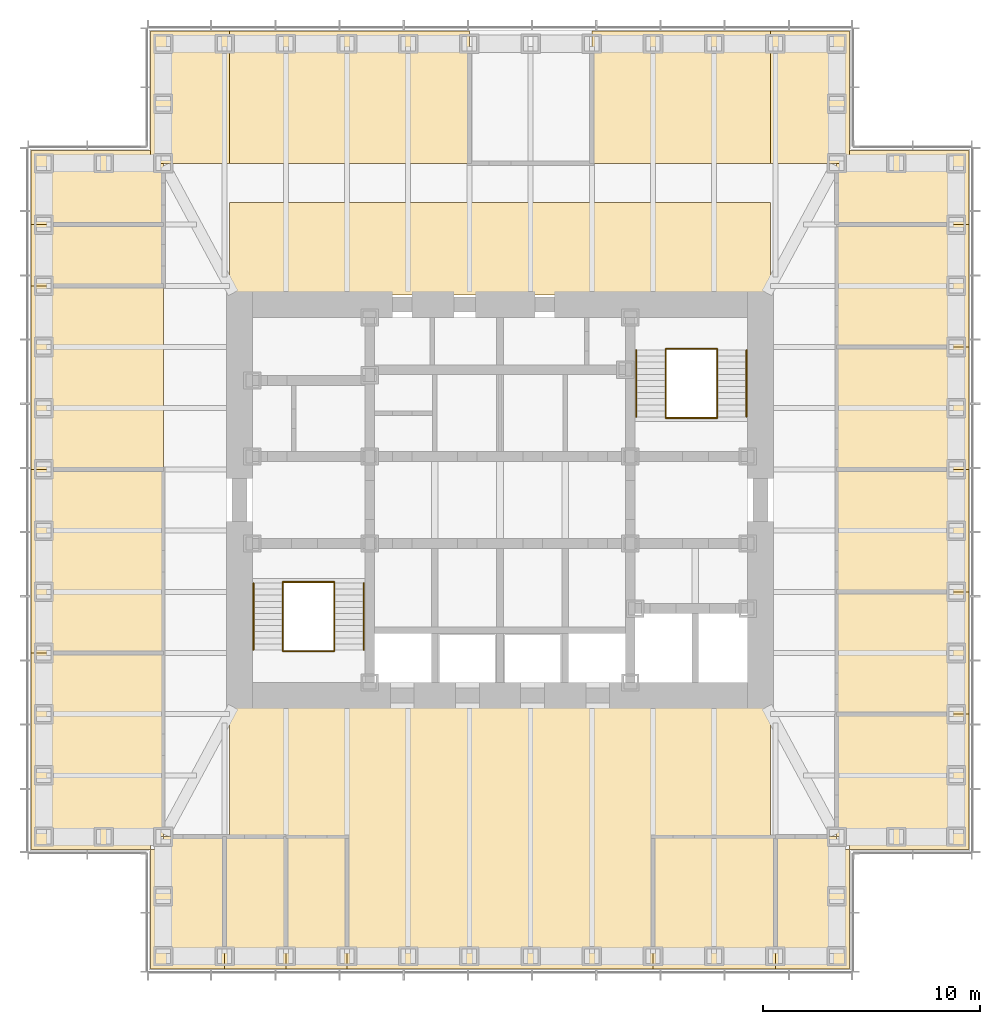
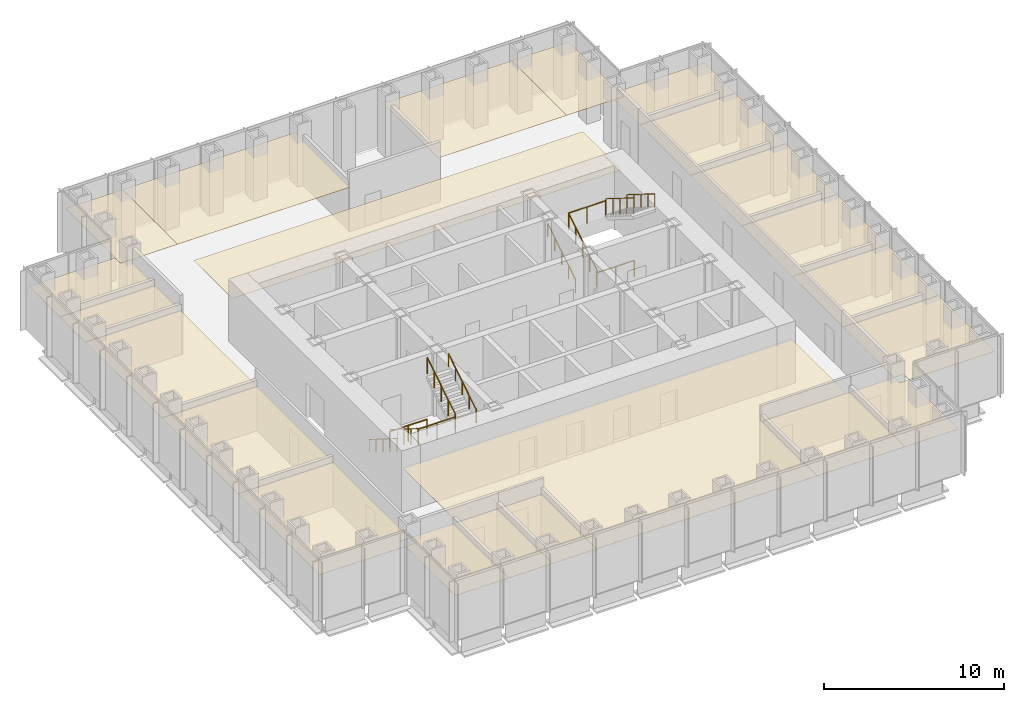
# One storey, part 16 of 16: 22 coverings, 12 railings.
"""IFC4 building model written with IfcOpenShell, lengths in metres."""

import ifcopenshell
import ifcopenshell.guid

model = None  # the IFC model being written
_history = None  # IfcOwnerHistory: only IFC2X3 demands one
_inside = {}  # id of a spatial element -> (the spatial element, [elements in it])
_under = {}  # id of a project, library or spatial element -> (it, [spatial elements below it])
_declared = {}  # id of a project -> (the project, [libraries it declares])
_typed = {}  # id of a type object -> (the type object, [elements of that type])
_made_of = {}  # id of a material, layer set ... -> (it, [elements and type objects made of it])


def new_model(schema):
    """Start an empty IFC model of exactly this schema.

    Asked for "IFC4X3", IfcOpenShell would pick the latest addendum, in which some entities
    have other attributes; the version numbers below select the first issue.
    IFC2X3 requires an IfcOwnerHistory on every rooted entity: one is made here for all.
    """
    global model, _history
    if schema == "IFC4X3":
        model = ifcopenshell.file(schema_version=(4, 3, 0, 0))
    else:
        model = ifcopenshell.file(schema=schema)
    _inside.clear()
    _under.clear()
    _declared.clear()
    _typed.clear()
    _made_of.clear()
    _history = None
    if model.schema == "IFC2X3":
        org = make("IfcOrganization", Name="unknown")
        user = make(
            "IfcPersonAndOrganization",
            ThePerson=make("IfcPerson", FamilyName="unknown"),
            TheOrganization=org,
        )
        app = make(
            "IfcApplication",
            ApplicationDeveloper=org,
            Version="unknown",
            ApplicationFullName="unknown",
            ApplicationIdentifier="unknown",
        )
        _history = make(
            "IfcOwnerHistory",
            OwningUser=user,
            OwningApplication=app,
            ChangeAction="ADDED",
            CreationDate=0,
        )
    return model


def make(cls, **values):
    """One entity of the class cls with the attributes given. An attribute that is None is left unset."""
    return model.create_entity(
        cls, **{name: value for name, value in values.items() if value is not None}
    )


def rooted(cls, **values):
    """An entity with a GlobalId (a new one), such as an element, a storey or a relation."""
    return make(cls, GlobalId=ifcopenshell.guid.new(), OwnerHistory=_history, **values)


def si_unit(unit_type, name, prefix=None):
    """IfcSIUnit, for example si_unit("LENGTHUNIT", "METRE", prefix="MILLI")."""
    return make("IfcSIUnit", UnitType=unit_type, Prefix=prefix, Name=name)


def assignment(units):
    """IfcUnitAssignment: the units of a project."""
    return None if units is None else make("IfcUnitAssignment", Units=units)


def point(xyz):
    """IfcCartesianPoint."""
    return None if xyz is None else make("IfcCartesianPoint", Coordinates=xyz)


def direction(xyz):
    """IfcDirection."""
    return None if xyz is None else make("IfcDirection", DirectionRatios=xyz)


def frame(location, z_axis=None, x_axis=None):
    """IfcAxis2Placement3D, a coordinate frame: its origin and axes. An axis left out is left unset."""
    return make(
        "IfcAxis2Placement3D",
        Location=point(location),
        Axis=direction(z_axis),
        RefDirection=direction(x_axis),
    )


def frame_2d(location, x_axis=None):
    """IfcAxis2Placement2D, a coordinate frame in the plane: its origin and x axis."""
    return make(
        "IfcAxis2Placement2D", Location=point(location), RefDirection=direction(x_axis)
    )


def origin():
    """The frame at (0, 0, 0) with its axes left unset."""
    return frame((0.0, 0.0, 0.0))


def origin_2d():
    """The frame at (0, 0) in the plane with its x axis left unset."""
    return frame_2d((0.0, 0.0))


def place(relative_to, where):
    """IfcLocalPlacement: puts the frame where relative to a parent placement (None: the world)."""
    return make(
        "IfcLocalPlacement", PlacementRelTo=relative_to, RelativePlacement=where
    )


def context(
    kind, dimensions, precision=None, world=None, true_north=None, identifier=None
):
    """IfcGeometricRepresentationContext, for example the 3D "Model" context."""
    return make(
        "IfcGeometricRepresentationContext",
        ContextIdentifier=identifier,
        ContextType=kind,
        CoordinateSpaceDimension=dimensions,
        Precision=precision,
        WorldCoordinateSystem=world,
        TrueNorth=true_north,
    )


def subcontext(parent, identifier, kind, view, scale=None):
    """IfcGeometricRepresentationSubContext, for example "Body" below "Model"."""
    return make(
        "IfcGeometricRepresentationSubContext",
        ContextIdentifier=identifier,
        ContextType=kind,
        ParentContext=parent,
        TargetScale=scale,
        TargetView=view,
    )


def project(units=None, contexts=None):
    """IfcProject with its units and contexts."""
    return rooted(
        "IfcProject",
        Name="project",
        RepresentationContexts=contexts,
        UnitsInContext=assignment(units),
    )


def spatial(cls, under=None, at=None, **own):
    """A site, building, storey or space (cls), placed at a placement, below another one or the project."""
    s = rooted(cls, ObjectPlacement=at, **own)
    if under is not None:
        _under.setdefault(under.id(), (under, []))[1].append(s)
    return s


def polyline(points):
    """IfcPolyline through the points."""
    return make("IfcPolyline", Points=[point(p) for p in points])


def profile(cls, at=None, kind="AREA", **sizes):
    """A parametric profile (cls). Its sizes go by their IFC names, for example OverallWidth=200.0."""
    return make(cls, ProfileType=kind, Position=at, **sizes)


def circle(**sizes):
    """IfcCircleProfileDef."""
    return profile("IfcCircleProfileDef", **sizes)


def outline(outer, holes=None, kind="AREA"):
    """IfcArbitraryClosedProfileDef: a profile drawn as a closed curve; with holes, ...WithVoids."""
    if holes is None:
        return make("IfcArbitraryClosedProfileDef", ProfileType=kind, OuterCurve=outer)
    return make(
        "IfcArbitraryProfileDefWithVoids",
        ProfileType=kind,
        OuterCurve=outer,
        InnerCurves=holes,
    )


def extrude(swept, where, along, depth):
    """IfcExtrudedAreaSolid: the profile swept, set in the frame where, extruded along a direction by depth."""
    return make(
        "IfcExtrudedAreaSolid",
        SweptArea=swept,
        Position=where,
        ExtrudedDirection=direction(along),
        Depth=depth,
    )


def shape(context_of_items, identifier, shape_type, items):
    """IfcShapeRepresentation: the items that make up one representation, for example the "Body"."""
    return make(
        "IfcShapeRepresentation",
        ContextOfItems=context_of_items,
        RepresentationIdentifier=identifier,
        RepresentationType=shape_type,
        Items=items,
    )


def material(Name=None, Category=None):
    """IfcMaterial."""
    return make("IfcMaterial", Name=Name, Category=Category)


def layer(
    of_material, thickness, ventilated=None, Name=None, Category=None, Priority=None
):
    """IfcMaterialLayer: one layer of a wall or slab, of a material (None: an air gap)."""
    return make(
        "IfcMaterialLayer",
        Material=of_material,
        LayerThickness=thickness,
        IsVentilated=ventilated,
        Name=Name,
        Category=Category,
        Priority=Priority,
    )


def layer_set(layers, Name=None):
    """IfcMaterialLayerSet."""
    return make("IfcMaterialLayerSet", MaterialLayers=layers, LayerSetName=Name)


def made_of(thing, what):
    """Note that an element or type object is made of a material, layer set ...; save() writes the relation."""
    if what is not None:
        _made_of.setdefault(what.id(), (what, []))[1].append(thing)
    return thing


def type_object(cls, material=None, **own):
    """A type object (cls), such as IfcWallType, which elements share."""
    return made_of(rooted(cls, **own), material)


def element(
    cls,
    number,
    at=None,
    inside=None,
    cuts=None,
    type_object=None,
    material=None,
    context=None,
    identifier="Body",
    shape_type=None,
    held_by="IfcProductDefinitionShape",
    body=None,
    shapes=None,
    **own,
):
    """One element of the class cls, such as IfcWall. Its Tag is "e" and its number.

    at: its placement. inside: the storey or other place that contains it. cuts: it is an
    opening in that element (IfcRelVoidsElement). A single representation is given by context,
    identifier, shape_type and body (its items); several are given by shapes. held_by: the class
    of the entity that holds the representations. save() writes the other relations.
    """
    e = rooted(cls, Tag="e%d" % number, ObjectPlacement=at, **own)
    if body is not None:
        shapes = [shape(context, identifier, shape_type, body)]
    if shapes is not None:
        e.Representation = make(held_by, Representations=shapes)
    if inside is not None:
        _inside.setdefault(inside.id(), (inside, []))[1].append(e)
    if cuts is not None:
        rooted(
            "IfcRelVoidsElement", RelatingBuildingElement=cuts, RelatedOpeningElement=e
        )
    if type_object is not None:
        _typed.setdefault(type_object.id(), (type_object, []))[1].append(e)
    return made_of(e, material)


def aggregate(whole, parts):
    """IfcRelAggregates: a whole, such as a stair, and the parts it consists of."""
    return rooted("IfcRelAggregates", RelatingObject=whole, RelatedObjects=parts)


def save(model, path):
    """Write the relations noted so far, then the file.

    IfcRelAggregates (storeys below a building ...), IfcRelContainedInSpatialStructure (elements
    in a storey), IfcRelDefinesByType, IfcRelAssociatesMaterial and IfcRelDeclares: one each for
    every whole, place, type object, material and project.
    """
    for whole, parts in _under.values():
        aggregate(whole, parts)
    for where, things in _inside.values():
        rooted(
            "IfcRelContainedInSpatialStructure",
            RelatedElements=things,
            RelatingStructure=where,
        )
    for kind, things in _typed.values():
        rooted("IfcRelDefinesByType", RelatedObjects=things, RelatingType=kind)
    for what, things in _made_of.values():
        rooted("IfcRelAssociatesMaterial", RelatedObjects=things, RelatingMaterial=what)
    for by, libraries in _declared.values():
        rooted("IfcRelDeclares", RelatingContext=by, RelatedDefinitions=libraries)
    model.write(path)


model = new_model("IFC4")

# Units and contexts
model_context = context("Model", 3, precision=1e-05, world=origin(), true_north=direction((0.0, 1.0)))
body_context = subcontext(model_context, "Body", "Model", "MODEL_VIEW")
ifc_project = project(units=[si_unit("LENGTHUNIT", "METRE"), si_unit("AREAUNIT", "SQUARE_METRE"), si_unit("VOLUMEUNIT", "CUBIC_METRE"), si_unit("PLANEANGLEUNIT", "RADIAN"), si_unit("MASSUNIT", "GRAM", prefix="KILO")], contexts=[model_context])

# Site, building, storey
site_placement = place(None, origin())
site = spatial("IfcSite", under=ifc_project, at=site_placement, CompositionType="ELEMENT")
building_placement = place(site_placement, origin())
building = spatial("IfcBuilding", under=site, at=building_placement, Name="Daluyong Arena Tower", CompositionType="ELEMENT")
storey_placement = place(building_placement, frame((0.0, 0.0, 198.10009765625)))
storey = spatial("IfcBuildingStorey", under=building, at=storey_placement, Name="L44", CompositionType="ELEMENT", Elevation=198.10009765625)

# Coverings
ifc_material_1 = material(Name="Mineral fibre ceiling tile", Category="gypsum board")
ifc_layer = layer(ifc_material_1, 0.02001953125)
ifc_layer_set = layer_set([ifc_layer], Name="Mineral fibre ceiling tile")
covering_type = type_object("IfcCoveringType", Name="Office ceiling", PredefinedType="CEILING", material=ifc_layer_set)
covering_1_placement = place(storey_placement, frame((0.0, 0.0, 2.89990234375)))
element("IfcCovering", 1, at=covering_1_placement, inside=storey, type_object=covering_type, Name="ceiling L44-01", PredefinedType="CEILING", context=body_context, shape_type="SweptSolid", body=[
    extrude(outline(polyline([(39.89990234375, 63.89990234375), (39.89990234375, 58.39990234375), (43.318115234375, 58.39990234375), (43.318115234375, 64.5), (40.5, 64.5), (40.5, 63.89990234375), (39.89990234375, 63.89990234375)])), origin(), (0.0, 0.0, 1.0), 0.02001953125),
])
covering_2_placement = place(storey_placement, frame((0.0, 0.0, 2.89990234375)))
element("IfcCovering", 2, at=covering_2_placement, inside=storey, type_object=covering_type, Name="ceiling L44-02", PredefinedType="CEILING", context=body_context, shape_type="SweptSolid", body=[
    extrude(outline(polyline([(43.318115234375, 64.5), (43.318115234375, 58.39990234375), (46.136474609375, 58.39990234375), (46.136474609375, 64.5), (43.318115234375, 64.5)])), origin(), (0.0, 0.0, 1.0), 0.02001953125),
])
covering_3_placement = place(storey_placement, frame((0.0, 0.0, 2.89990234375)))
element("IfcCovering", 3, at=covering_3_placement, inside=storey, type_object=covering_type, Name="ceiling L44-03", PredefinedType="CEILING", context=body_context, shape_type="SweptSolid", body=[
    extrude(outline(polyline([(46.136474609375, 64.5), (46.136474609375, 58.39990234375), (48.95458984375, 58.39990234375), (48.95458984375, 64.5), (46.136474609375, 64.5)])), origin(), (0.0, 0.0, 1.0), 0.02001953125),
])
covering_4_placement = place(storey_placement, frame((0.0, 0.0, 2.89990234375)))
element("IfcCovering", 4, at=covering_4_placement, inside=storey, type_object=covering_type, Name="ceiling L44-04", PredefinedType="CEILING", context=body_context, shape_type="SweptSolid", body=[
    extrude(outline(polyline([(63.04541015625, 64.5), (63.04541015625, 58.39990234375), (68.681884765625, 58.39990234375), (68.681884765625, 64.5), (63.04541015625, 64.5)])), origin(), (0.0, 0.0, 1.0), 0.02001953125),
])
covering_5_placement = place(storey_placement, frame((0.0, 0.0, 2.89990234375)))
element("IfcCovering", 5, at=covering_5_placement, inside=storey, type_object=covering_type, Name="ceiling L44-05", PredefinedType="CEILING", context=body_context, shape_type="SweptSolid", body=[
    extrude(outline(polyline([(72.10009765625, 58.39990234375), (72.10009765625, 63.89990234375), (71.5, 63.89990234375), (71.5, 64.5), (68.681884765625, 64.5), (68.681884765625, 58.39990234375), (72.10009765625, 58.39990234375)])), origin(), (0.0, 0.0, 1.0), 0.02001953125),
])
covering_6_placement = place(storey_placement, frame((0.0, 0.0, 2.89990234375)))
element("IfcCovering", 6, at=covering_6_placement, inside=storey, type_object=covering_type, Name="ceiling L44-06", PredefinedType="CEILING", context=body_context, shape_type="SweptSolid", body=[
    extrude(outline(polyline([(72.10009765625, 63.89990234375), (77.60009765625, 63.89990234375), (77.60009765625, 70.136474609375), (71.5, 70.136474609375), (71.5, 64.5), (72.10009765625, 64.5), (72.10009765625, 63.89990234375)])), origin(), (0.0, 0.0, 1.0), 0.02001953125),
])
covering_7_placement = place(storey_placement, frame((0.0, 0.0, 2.89990234375)))
element("IfcCovering", 7, at=covering_7_placement, inside=storey, type_object=covering_type, Name="ceiling L44-07", PredefinedType="CEILING", context=body_context, shape_type="SweptSolid", body=[
    extrude(outline(polyline([(71.5, 70.136474609375), (77.60009765625, 70.136474609375), (77.60009765625, 75.772705078125), (71.5, 75.772705078125), (71.5, 70.136474609375)])), origin(), (0.0, 0.0, 1.0), 0.02001953125),
])
covering_8_placement = place(storey_placement, frame((0.0, 0.0, 2.89990234375)))
element("IfcCovering", 8, at=covering_8_placement, inside=storey, type_object=covering_type, Name="ceiling L44-08", PredefinedType="CEILING", context=body_context, shape_type="SweptSolid", body=[
    extrude(outline(polyline([(71.5, 75.772705078125), (77.60009765625, 75.772705078125), (77.60009765625, 81.4091796875), (71.5, 81.4091796875), (71.5, 75.772705078125)])), origin(), (0.0, 0.0, 1.0), 0.02001953125),
])
covering_9_placement = place(storey_placement, frame((0.0, 0.0, 2.89990234375)))
element("IfcCovering", 9, at=covering_9_placement, inside=storey, type_object=covering_type, Name="ceiling L44-09", PredefinedType="CEILING", context=body_context, shape_type="SweptSolid", body=[
    extrude(outline(polyline([(71.5, 81.4091796875), (77.60009765625, 81.4091796875), (77.60009765625, 87.04541015625), (71.5, 87.04541015625), (71.5, 81.4091796875)])), origin(), (0.0, 0.0, 1.0), 0.02001953125),
])
covering_10_placement = place(storey_placement, frame((0.0, 0.0, 2.89990234375)))
element("IfcCovering", 10, at=covering_10_placement, inside=storey, type_object=covering_type, Name="ceiling L44-10", PredefinedType="CEILING", context=body_context, shape_type="SweptSolid", body=[
    extrude(outline(polyline([(71.5, 87.04541015625), (77.60009765625, 87.04541015625), (77.60009765625, 92.681884765625), (71.5, 92.681884765625), (71.5, 87.04541015625)])), origin(), (0.0, 0.0, 1.0), 0.02001953125),
])
covering_11_placement = place(storey_placement, frame((0.0, 0.0, 2.89990234375)))
element("IfcCovering", 11, at=covering_11_placement, inside=storey, type_object=covering_type, Name="ceiling L44-11", PredefinedType="CEILING", context=body_context, shape_type="SweptSolid", body=[
    extrude(outline(polyline([(71.5, 92.681884765625), (77.60009765625, 92.681884765625), (77.60009765625, 96.10009765625), (72.10009765625, 96.10009765625), (72.10009765625, 95.5), (71.5, 95.5), (71.5, 92.681884765625)])), origin(), (0.0, 0.0, 1.0), 0.02001953125),
])
covering_12_placement = place(storey_placement, frame((0.0, 0.0, 2.89990234375)))
element("IfcCovering", 12, at=covering_12_placement, inside=storey, type_object=covering_type, Name="ceiling L44-13", PredefinedType="CEILING", context=body_context, shape_type="SweptSolid", body=[
    extrude(outline(polyline([(34.39990234375, 63.89990234375), (39.89990234375, 63.89990234375), (39.89990234375, 64.5), (40.5, 64.5), (40.5, 72.95458984375), (34.39990234375, 72.95458984375), (34.39990234375, 63.89990234375)])), origin(), (0.0, 0.0, 1.0), 0.02001953125),
])
covering_13_placement = place(storey_placement, frame((0.0, 0.0, 2.89990234375)))
element("IfcCovering", 13, at=covering_13_placement, inside=storey, type_object=covering_type, Name="ceiling L44-14", PredefinedType="CEILING", context=body_context, shape_type="SweptSolid", body=[
    extrude(outline(polyline([(40.5, 81.4091796875), (34.39990234375, 81.4091796875), (34.39990234375, 72.95458984375), (40.5, 72.95458984375), (40.5, 81.4091796875)])), origin(), (0.0, 0.0, 1.0), 0.02001953125),
])
covering_14_placement = place(storey_placement, frame((0.0, 0.0, 2.89990234375)))
element("IfcCovering", 14, at=covering_14_placement, inside=storey, type_object=covering_type, Name="ceiling L44-15", PredefinedType="CEILING", context=body_context, shape_type="SweptSolid", body=[
    extrude(outline(polyline([(40.5, 92.681884765625), (34.39990234375, 92.681884765625), (34.39990234375, 89.863525390625), (40.5, 89.863525390625), (40.5, 92.681884765625)])), origin(), (0.0, 0.0, 1.0), 0.02001953125),
])
covering_15_placement = place(storey_placement, frame((0.0, 0.0, 2.89990234375)))
element("IfcCovering", 15, at=covering_15_placement, inside=storey, type_object=covering_type, Name="ceiling L44-16", PredefinedType="CEILING", context=body_context, shape_type="SweptSolid", body=[
    extrude(outline(polyline([(40.5, 92.681884765625), (40.5, 95.5), (39.89990234375, 95.5), (39.89990234375, 96.10009765625), (34.39990234375, 96.10009765625), (34.39990234375, 92.681884765625), (40.5, 92.681884765625)])), origin(), (0.0, 0.0, 1.0), 0.02001953125),
])
covering_16_placement = place(storey_placement, frame((0.0, 0.0, 2.89990234375)))
element("IfcCovering", 16, at=covering_16_placement, inside=storey, type_object=covering_type, Name="ceiling L44-20", PredefinedType="CEILING", context=body_context, shape_type="SweptSolid", body=[
    extrude(outline(polyline([(48.95458984375, 58.39990234375), (63.04541015625, 58.39990234375), (63.04541015625, 64.5), (68.449951171875, 64.5), (68.449951171875, 70.550048828125), (43.550048828125, 70.550048828125), (43.550048828125, 64.5), (48.95458984375, 64.5), (48.95458984375, 58.39990234375)])), origin(), (0.0, 0.0, 1.0), 0.02001953125),
])
covering_17_placement = place(storey_placement, frame((0.0, 0.0, 2.89990234375)))
element("IfcCovering", 17, at=covering_17_placement, inside=storey, type_object=covering_type, Name="ceiling L44-21", PredefinedType="CEILING", context=body_context, shape_type="SweptSolid", body=[
    extrude(outline(polyline([(72.10009765625, 101.60009765625), (68.449951171875, 101.60009765625), (68.449951171875, 95.5), (72.10009765625, 95.5), (72.10009765625, 101.60009765625)])), origin(), (0.0, 0.0, 1.0), 0.02001953125),
])
covering_18_placement = place(storey_placement, frame((0.0, 0.0, 2.89990234375)))
element("IfcCovering", 18, at=covering_18_placement, inside=storey, type_object=covering_type, Name="ceiling L44-22", PredefinedType="CEILING", context=body_context, shape_type="SweptSolid", body=[
    extrude(outline(polyline([(54.5908203125, 101.60009765625), (43.550048828125, 101.60009765625), (43.550048828125, 95.5), (54.5908203125, 95.5), (54.5908203125, 101.60009765625)])), origin(), (0.0, 0.0, 1.0), 0.02001953125),
])
covering_19_placement = place(storey_placement, frame((0.0, 0.0, 2.89990234375)))
element("IfcCovering", 19, at=covering_19_placement, inside=storey, type_object=covering_type, Name="ceiling L44-23", PredefinedType="CEILING", context=body_context, shape_type="SweptSolid", body=[
    extrude(outline(polyline([(68.449951171875, 101.60009765625), (60.227294921875, 101.60009765625), (60.227294921875, 95.5), (68.449951171875, 95.5), (68.449951171875, 101.60009765625)])), origin(), (0.0, 0.0, 1.0), 0.02001953125),
])
covering_20_placement = place(storey_placement, frame((0.0, 0.0, 2.89990234375)))
element("IfcCovering", 20, at=covering_20_placement, inside=storey, type_object=covering_type, Name="ceiling L44-24", PredefinedType="CEILING", context=body_context, shape_type="SweptSolid", body=[
    extrude(outline(polyline([(43.550048828125, 89.449951171875), (68.449951171875, 89.449951171875), (68.449951171875, 93.699951171875), (43.550048828125, 93.699951171875), (43.550048828125, 89.449951171875)])), origin(), (0.0, 0.0, 1.0), 0.02001953125),
])
covering_21_placement = place(storey_placement, frame((0.0, 0.0, 2.89990234375)))
element("IfcCovering", 21, at=covering_21_placement, inside=storey, type_object=covering_type, Name="ceiling L44-25", PredefinedType="CEILING", context=body_context, shape_type="SweptSolid", body=[
    extrude(outline(polyline([(34.39990234375, 89.863525390625), (34.39990234375, 81.4091796875), (40.5, 81.4091796875), (40.5, 89.863525390625), (34.39990234375, 89.863525390625)])), origin(), (0.0, 0.0, 1.0), 0.02001953125),
])
covering_22_placement = place(storey_placement, frame((0.0, 0.0, 2.89990234375)))
element("IfcCovering", 22, at=covering_22_placement, inside=storey, type_object=covering_type, Name="ceiling L44-26", PredefinedType="CEILING", context=body_context, shape_type="SweptSolid", body=[
    extrude(outline(polyline([(43.550048828125, 101.60009765625), (39.89990234375, 101.60009765625), (39.89990234375, 95.5), (43.550048828125, 95.5), (43.550048828125, 101.60009765625)])), origin(), (0.0, 0.0, 1.0), 0.02001953125),
])

# Railings
ifc_material_2 = material(Name="Stainless steel handrail", Category="steel")
railing_type_1 = type_object("IfcRailingType", Name="Stair handrail", PredefinedType="HANDRAIL", material=ifc_material_2)
railing_1_placement = place(storey_placement, frame((44.64990234375, 76.175048828125, 0.1748046875)))
element("IfcRailing", 23, at=railing_1_placement, inside=storey, type_object=railing_type_1, Name="exit stair A handrail L44", PredefinedType="HANDRAIL", context=body_context, shape_type="SweptSolid", body=[
    extrude(circle(Radius=0.02392578125, at=origin_2d()), frame((0.0, 0.0, 0.8759765625), z_axis=(0.0, -0.847998304005, 0.529998940003), x_axis=(1.0, 0.0, 0.0)), (0.0, 0.0, 1.0), 3.632080078125),
    extrude(circle(Radius=0.02099609375, at=origin_2d()), origin(), (0.0, 0.0, 1.0), 0.851806640625),
    extrude(circle(Radius=0.02099609375, at=origin_2d()), frame((0.0, -0.77001953125, 0.481201171875)), (0.0, 0.0, 1.0), 0.851806640625),
    extrude(circle(Radius=0.02099609375, at=origin_2d()), frame((0.0, -1.5400390625, 0.96240234375)), (0.0, 0.0, 1.0), 0.851806640625),
    extrude(circle(Radius=0.02099609375, at=origin_2d()), frame((0.0, -2.31005859375, 1.44384765625)), (0.0, 0.0, 1.0), 0.851806640625),
    extrude(circle(Radius=0.02099609375, at=origin_2d()), frame((0.0, -3.080078125, 1.925048828125)), (0.0, 0.0, 1.0), 0.851806640625),
])
for number, where, name in (
    (24, (49.72509765625, 73.094970703125, 2.27490234375), "exit stair A handrail L44"),
    (25, (62.27490234375, 83.824951171875, 0.1748046875), "exit stair B handrail L44"),
):
    element("IfcRailing", number, at=place(storey_placement, frame(where)), inside=storey, type_object=railing_type_1, Name=name, PredefinedType="HANDRAIL", context=body_context, shape_type="SweptSolid", body=[
        extrude(circle(Radius=0.02392578125, at=origin_2d()), frame((0.0, 0.0, 0.8759765625), z_axis=(0.0, 0.847998304005, 0.529998940003), x_axis=(-1.0, 0.0, 0.0)), (0.0, 0.0, 1.0), 3.632080078125),
        extrude(circle(Radius=0.02099609375, at=origin_2d()), origin(), (0.0, 0.0, 1.0), 0.851806640625),
        extrude(circle(Radius=0.02099609375, at=origin_2d()), frame((0.0, 0.77001953125, 0.481201171875)), (0.0, 0.0, 1.0), 0.851806640625),
        extrude(circle(Radius=0.02099609375, at=origin_2d()), frame((0.0, 1.5400390625, 0.96240234375)), (0.0, 0.0, 1.0), 0.851806640625),
        extrude(circle(Radius=0.02099609375, at=origin_2d()), frame((0.0, 2.31005859375, 1.44384765625)), (0.0, 0.0, 1.0), 0.851806640625),
        extrude(circle(Radius=0.02099609375, at=origin_2d()), frame((0.0, 3.080078125, 1.925048828125)), (0.0, 0.0, 1.0), 0.851806640625),
    ])
railing_2_placement = place(storey_placement, frame((67.35009765625, 86.905029296875, 2.27490234375)))
element("IfcRailing", 26, at=railing_2_placement, inside=storey, type_object=railing_type_1, Name="exit stair B handrail L44", PredefinedType="HANDRAIL", context=body_context, shape_type="SweptSolid", body=[
    extrude(circle(Radius=0.02392578125, at=origin_2d()), frame((0.0, 0.0, 0.8759765625), z_axis=(0.0, -0.847998304005, 0.529998940003), x_axis=(1.0, 0.0, 0.0)), (0.0, 0.0, 1.0), 3.632080078125),
    extrude(circle(Radius=0.02099609375, at=origin_2d()), origin(), (0.0, 0.0, 1.0), 0.851806640625),
    extrude(circle(Radius=0.02099609375, at=origin_2d()), frame((0.0, -0.77001953125, 0.481201171875)), (0.0, 0.0, 1.0), 0.851806640625),
    extrude(circle(Radius=0.02099609375, at=origin_2d()), frame((0.0, -1.5400390625, 0.96240234375)), (0.0, 0.0, 1.0), 0.851806640625),
    extrude(circle(Radius=0.02099609375, at=origin_2d()), frame((0.0, -2.31005859375, 1.44384765625)), (0.0, 0.0, 1.0), 0.851806640625),
    extrude(circle(Radius=0.02099609375, at=origin_2d()), frame((0.0, -3.080078125, 1.925048828125)), (0.0, 0.0, 1.0), 0.851806640625),
])
ifc_material_3 = material(Name="Steel balustrade", Category="steel")
railing_type_2 = type_object("IfcRailingType", Name="Stair well guard 1100", PredefinedType="GUARDRAIL", material=ifc_material_3)
railing_3_placement = place(storey_placement, frame((46.0, 76.175048828125, 0.1748046875)))
element("IfcRailing", 27, at=railing_3_placement, inside=storey, type_object=railing_type_2, Name="exit stair A well guard L44", PredefinedType="GUARDRAIL", context=body_context, shape_type="SweptSolid", body=[
    extrude(circle(Radius=0.02392578125, at=origin_2d()), frame((0.0, 0.0, 1.076171875), z_axis=(0.0, -0.847998304005, 0.529998940003), x_axis=(1.0, 0.0, 0.0)), (0.0, 0.0, 1.0), 3.632080078125),
    extrude(circle(Radius=0.02099609375, at=origin_2d()), origin(), (0.0, 0.0, 1.0), 1.052001953125),
    extrude(circle(Radius=0.02099609375, at=origin_2d()), frame((0.0, -0.77001953125, 0.481201171875)), (0.0, 0.0, 1.0), 1.052001953125),
    extrude(circle(Radius=0.02099609375, at=origin_2d()), frame((0.0, -1.5400390625, 0.96240234375)), (0.0, 0.0, 1.0), 1.052001953125),
    extrude(circle(Radius=0.02099609375, at=origin_2d()), frame((0.0, -2.31005859375, 1.44384765625)), (0.0, 0.0, 1.0), 1.052001953125),
    extrude(circle(Radius=0.02099609375, at=origin_2d()), frame((0.0, -3.080078125, 1.925048828125)), (0.0, 0.0, 1.0), 1.052001953125),
])
railing_4_placement = place(storey_placement, frame((48.375, 73.094970703125, 2.27490234375)))
element("IfcRailing", 28, at=railing_4_placement, inside=storey, type_object=railing_type_2, Name="exit stair A well guard L44", PredefinedType="GUARDRAIL", context=body_context, shape_type="SweptSolid", body=[
    extrude(circle(Radius=0.02392578125, at=origin_2d()), frame((0.0, 0.0, 1.076171875), z_axis=(0.0, 0.847998304005, 0.529998940003), x_axis=(-1.0, 0.0, 0.0)), (0.0, 0.0, 1.0), 3.632080078125),
    extrude(circle(Radius=0.02099609375, at=origin_2d()), origin(), (0.0, 0.0, 1.0), 1.052001953125),
    extrude(circle(Radius=0.02099609375, at=origin_2d()), frame((0.0, 0.77001953125, 0.481201171875)), (0.0, 0.0, 1.0), 1.052001953125),
    extrude(circle(Radius=0.02099609375, at=origin_2d()), frame((0.0, 1.5400390625, 0.96240234375)), (0.0, 0.0, 1.0), 1.052001953125),
    extrude(circle(Radius=0.02099609375, at=origin_2d()), frame((0.0, 2.31005859375, 1.44384765625)), (0.0, 0.0, 1.0), 1.052001953125),
    extrude(circle(Radius=0.02099609375, at=origin_2d()), frame((0.0, 3.080078125, 1.925048828125)), (0.0, 0.0, 1.0), 1.052001953125),
])
for number, where, name in (
    (29, (46.0, 73.044921875, 2.099853515625), "exit stair A landing guard L44"),
    (30, (46.0, 76.22509765625, 0.0), "exit stair A floor landing guard L44"),
):
    element("IfcRailing", number, at=place(storey_placement, frame(where)), inside=storey, type_object=railing_type_2, Name=name, PredefinedType="GUARDRAIL", context=body_context, shape_type="SweptSolid", body=[
        extrude(circle(Radius=0.02392578125, at=origin_2d()), frame((0.0, 0.0, 1.076171875), z_axis=(1.0, 0.0, 0.0), x_axis=(0.0, 1.0, 0.0)), (0.0, 0.0, 1.0), 2.375),
        extrude(circle(Radius=0.02099609375, at=origin_2d()), origin(), (0.0, 0.0, 1.0), 1.052001953125),
        extrude(circle(Radius=0.02099609375, at=origin_2d()), frame((1.1875, 0.0, 0.0)), (0.0, 0.0, 1.0), 1.052001953125),
        extrude(circle(Radius=0.02099609375, at=origin_2d()), frame((2.375, 0.0, 0.0)), (0.0, 0.0, 1.0), 1.052001953125),
    ])
railing_5_placement = place(storey_placement, frame((63.625, 83.824951171875, 0.1748046875)))
element("IfcRailing", 31, at=railing_5_placement, inside=storey, type_object=railing_type_2, Name="exit stair B well guard L44", PredefinedType="GUARDRAIL", context=body_context, shape_type="SweptSolid", body=[
    extrude(circle(Radius=0.02392578125, at=origin_2d()), frame((0.0, 0.0, 1.076171875), z_axis=(0.0, 0.847998304005, 0.529998940003), x_axis=(-1.0, 0.0, 0.0)), (0.0, 0.0, 1.0), 3.632080078125),
    extrude(circle(Radius=0.02099609375, at=origin_2d()), origin(), (0.0, 0.0, 1.0), 1.052001953125),
    extrude(circle(Radius=0.02099609375, at=origin_2d()), frame((0.0, 0.77001953125, 0.481201171875)), (0.0, 0.0, 1.0), 1.052001953125),
    extrude(circle(Radius=0.02099609375, at=origin_2d()), frame((0.0, 1.5400390625, 0.96240234375)), (0.0, 0.0, 1.0), 1.052001953125),
    extrude(circle(Radius=0.02099609375, at=origin_2d()), frame((0.0, 2.31005859375, 1.44384765625)), (0.0, 0.0, 1.0), 1.052001953125),
    extrude(circle(Radius=0.02099609375, at=origin_2d()), frame((0.0, 3.080078125, 1.925048828125)), (0.0, 0.0, 1.0), 1.052001953125),
])
railing_6_placement = place(storey_placement, frame((66.0, 86.905029296875, 2.27490234375)))
element("IfcRailing", 32, at=railing_6_placement, inside=storey, type_object=railing_type_2, Name="exit stair B well guard L44", PredefinedType="GUARDRAIL", context=body_context, shape_type="SweptSolid", body=[
    extrude(circle(Radius=0.02392578125, at=origin_2d()), frame((0.0, 0.0, 1.076171875), z_axis=(0.0, -0.847998304005, 0.529998940003), x_axis=(1.0, 0.0, 0.0)), (0.0, 0.0, 1.0), 3.632080078125),
    extrude(circle(Radius=0.02099609375, at=origin_2d()), origin(), (0.0, 0.0, 1.0), 1.052001953125),
    extrude(circle(Radius=0.02099609375, at=origin_2d()), frame((0.0, -0.77001953125, 0.481201171875)), (0.0, 0.0, 1.0), 1.052001953125),
    extrude(circle(Radius=0.02099609375, at=origin_2d()), frame((0.0, -1.5400390625, 0.96240234375)), (0.0, 0.0, 1.0), 1.052001953125),
    extrude(circle(Radius=0.02099609375, at=origin_2d()), frame((0.0, -2.31005859375, 1.44384765625)), (0.0, 0.0, 1.0), 1.052001953125),
    extrude(circle(Radius=0.02099609375, at=origin_2d()), frame((0.0, -3.080078125, 1.925048828125)), (0.0, 0.0, 1.0), 1.052001953125),
])
for number, where, name in (
    (33, (63.625, 86.955078125, 2.099853515625), "exit stair B landing guard L44"),
    (34, (63.625, 83.77490234375, 0.0), "exit stair B floor landing guard L44"),
):
    element("IfcRailing", number, at=place(storey_placement, frame(where)), inside=storey, type_object=railing_type_2, Name=name, PredefinedType="GUARDRAIL", context=body_context, shape_type="SweptSolid", body=[
        extrude(circle(Radius=0.02392578125, at=origin_2d()), frame((0.0, 0.0, 1.076171875), z_axis=(1.0, 0.0, 0.0), x_axis=(0.0, 1.0, 0.0)), (0.0, 0.0, 1.0), 2.375),
        extrude(circle(Radius=0.02099609375, at=origin_2d()), origin(), (0.0, 0.0, 1.0), 1.052001953125),
        extrude(circle(Radius=0.02099609375, at=origin_2d()), frame((1.1875, 0.0, 0.0)), (0.0, 0.0, 1.0), 1.052001953125),
        extrude(circle(Radius=0.02099609375, at=origin_2d()), frame((2.375, 0.0, 0.0)), (0.0, 0.0, 1.0), 1.052001953125),
    ])

save(model, "model.ifc")
